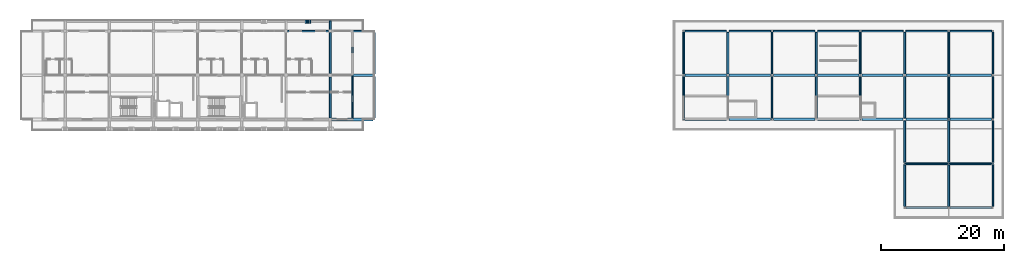
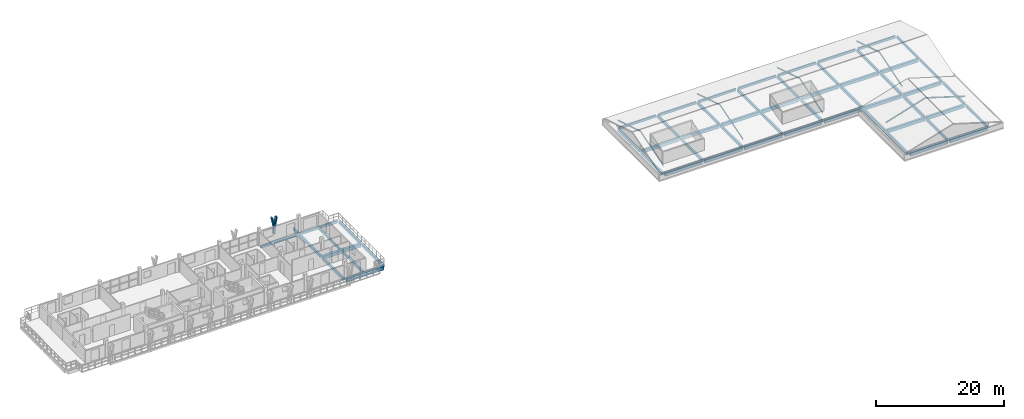
# One storey, part 10 of 19: 68 beams, 3 members.
"""IFC4 building model written with IfcOpenShell, lengths in metres."""

from ifc_helpers import new_model, si_unit, direction, frame, origin, origin_2d, place, context, subcontext, project, spatial, rectangle, i_section, extrude, material, material_profile, profile_set, type_object, element, save


model = new_model("IFC4")

# Units and contexts
model_context = context("Model", 3, precision=1e-05, world=origin(), true_north=direction((0.0, 1.0)))
body_context = subcontext(model_context, "Body", "Model", "MODEL_VIEW")
ifc_project = project(units=[si_unit("LENGTHUNIT", "METRE"), si_unit("AREAUNIT", "SQUARE_METRE"), si_unit("VOLUMEUNIT", "CUBIC_METRE"), si_unit("PLANEANGLEUNIT", "RADIAN"), si_unit("MASSUNIT", "GRAM", prefix="KILO")], contexts=[model_context])

# Site, building, storey
site_placement = place(None, origin())
site = spatial("IfcSite", under=ifc_project, at=site_placement, CompositionType="ELEMENT")
building_placement = place(site_placement, origin())
building = spatial("IfcBuilding", under=site, at=building_placement, Name="Suanplinth Sawtooth Commons", CompositionType="ELEMENT")
storey_placement = place(building_placement, frame((0.0, 0.0, 44.39990234375)))
storey = spatial("IfcBuildingStorey", under=building, at=storey_placement, Name="L13", CompositionType="ELEMENT", Elevation=44.39990234375)

# Beams
ifc_material_1 = material(Name="Precast concrete C40/50", Category="concrete")
ifc_material_profile_1 = material_profile(ifc_material_1, rectangle(XDim=0.449951171875, YDim=0.64990234375, at=origin_2d()), Name="PC-GDR 450x650")
ifc_profile_set_1 = profile_set([ifc_material_profile_1], Name="Precast concrete C40/50")
beam_type_1 = type_object("IfcBeamType", Name="B-04", PredefinedType="USERDEFINED", material=ifc_profile_set_1)
for number, where, z_axis, x_axis, name in (
    (1, (79.449951171875, 108.0, -0.574951171875), (1.0, 0.0, 0.0), (0.0, 1.0, 0.0), "BMX-L13-A-11-15"),
    (2, (79.449951171875, 115.199951171875, -0.574951171875), (1.0, 0.0, 0.0), (0.0, 1.0, 0.0), "BMX-L13-A-11-16"),
):
    element("IfcBeam", number, at=place(storey_placement, frame(where, z_axis=z_axis, x_axis=x_axis)), inside=storey, type_object=beam_type_1, Name=name, ObjectType="GIRDER", PredefinedType="USERDEFINED", context=body_context, shape_type="SweptSolid", body=[
        extrude(rectangle(XDim=0.449951171875, YDim=0.64990234375, at=origin_2d()), origin(), (0.0, 0.0, 1.0), 6.699951171875),
    ])
ifc_material_profile_2 = material_profile(ifc_material_1, rectangle(XDim=0.39990234375, YDim=0.60009765625, at=origin_2d()), Name="PC-GDR 400x600")
ifc_profile_set_2 = profile_set([ifc_material_profile_2], Name="Precast concrete C40/50")
beam_type_2 = type_object("IfcBeamType", Name="B-05", PredefinedType="USERDEFINED", material=ifc_profile_set_2)
for number, where, z_axis, x_axis, name in (
    (3, (137.02490234375, 108.0, -0.539794921875), (1.0, 0.0, 0.0), (0.0, 1.0, 0.0), "BMX-L13-B-19-15"),
    (4, (137.02490234375, 115.199951171875, -0.539794921875), (1.0, 0.0, 0.0), (0.0, 1.0, 0.0), "BMX-L13-B-19-16"),
    (5, (144.22509765625, 108.0, -0.539794921875), (1.0, 0.0, 0.0), (0.0, 1.0, 0.0), "BMX-L13-B-20-15"),
    (6, (144.22509765625, 115.199951171875, -0.539794921875), (1.0, 0.0, 0.0), (0.0, 1.0, 0.0), "BMX-L13-B-20-16"),
    (7, (151.425048828125, 108.0, -0.539794921875), (1.0, 0.0, 0.0), (0.0, 1.0, 0.0), "BMX-L13-B-21-15"),
    (8, (151.425048828125, 115.199951171875, -0.539794921875), (1.0, 0.0, 0.0), (0.0, 1.0, 0.0), "BMX-L13-B-21-16"),
    (9, (158.625, 108.0, -0.539794921875), (1.0, 0.0, 0.0), (0.0, 1.0, 0.0), "BMX-L13-B-22-15"),
    (10, (158.625, 115.199951171875, -0.539794921875), (1.0, 0.0, 0.0), (0.0, 1.0, 0.0), "BMX-L13-B-22-16"),
    (11, (165.824951171875, 108.0, -0.539794921875), (1.0, 0.0, 0.0), (0.0, 1.0, 0.0), "BMX-L13-B-23-15"),
    (12, (165.824951171875, 115.199951171875, -0.539794921875), (1.0, 0.0, 0.0), (0.0, 1.0, 0.0), "BMX-L13-B-23-16"),
    (13, (173.02490234375, 93.60009765625, -0.539794921875), (1.0, 0.0, 0.0), (0.0, 1.0, 0.0), "BMX-L13-B-24-13"),
    (14, (173.02490234375, 100.800048828125, -0.539794921875), (1.0, 0.0, 0.0), (0.0, 1.0, 0.0), "BMX-L13-B-24-14"),
    (15, (173.02490234375, 108.0, -0.539794921875), (1.0, 0.0, 0.0), (0.0, 1.0, 0.0), "BMX-L13-B-24-15"),
    (16, (173.02490234375, 115.199951171875, -0.539794921875), (1.0, 0.0, 0.0), (0.0, 1.0, 0.0), "BMX-L13-B-24-16"),
    (17, (180.22509765625, 93.60009765625, -0.539794921875), (1.0, 0.0, 0.0), (0.0, 1.0, 0.0), "BMX-L13-B-25-13"),
    (18, (180.22509765625, 100.800048828125, -0.539794921875), (1.0, 0.0, 0.0), (0.0, 1.0, 0.0), "BMX-L13-B-25-14"),
    (19, (180.22509765625, 108.0, -0.539794921875), (1.0, 0.0, 0.0), (0.0, 1.0, 0.0), "BMX-L13-B-25-15"),
    (20, (180.22509765625, 115.199951171875, -0.539794921875), (1.0, 0.0, 0.0), (0.0, 1.0, 0.0), "BMX-L13-B-25-16"),
):
    element("IfcBeam", number, at=place(storey_placement, frame(where, z_axis=z_axis, x_axis=x_axis)), inside=storey, type_object=beam_type_2, Name=name, ObjectType="GIRDER", PredefinedType="USERDEFINED", context=body_context, shape_type="SweptSolid", body=[
        extrude(rectangle(XDim=0.39990234375, YDim=0.60009765625, at=origin_2d()), origin(), (0.0, 0.0, 1.0), 6.75),
    ])
ifc_material_profile_3 = material_profile(ifc_material_1, rectangle(XDim=0.300048828125, YDim=0.5, at=origin_2d()), Name="PC-BM 300x500")
ifc_profile_set_3 = profile_set([ifc_material_profile_3], Name="Precast concrete C40/50")
beam_type_3 = type_object("IfcBeamType", Name="B-07", PredefinedType="BEAM", material=ifc_profile_set_3)
for number, where, z_axis, x_axis, name in (
    (21, (79.199951171875, 108.25, -0.5), (0.0, 1.0, 0.0), (-1.0, 0.0, 0.0), "BMY-L13-A-11-15"),
    (22, (79.199951171875, 115.449951171875, -0.5), (0.0, 1.0, 0.0), (-1.0, 0.0, 0.0), "BMY-L13-A-11-16"),
    (23, (86.39990234375, 108.25, -0.5), (0.0, 1.0, 0.0), (-1.0, 0.0, 0.0), "BMY-L13-A-12-15"),
    (24, (86.39990234375, 115.449951171875, -0.5), (0.0, 1.0, 0.0), (-1.0, 0.0, 0.0), "BMY-L13-A-12-16"),
):
    element("IfcBeam", number, at=place(storey_placement, frame(where, z_axis=z_axis, x_axis=x_axis)), inside=storey, type_object=beam_type_3, Name=name, PredefinedType="BEAM", context=body_context, shape_type="SweptSolid", body=[
        extrude(rectangle(XDim=0.300048828125, YDim=0.5, at=origin_2d()), origin(), (0.0, 0.0, 1.0), 6.699951171875),
    ])
for number, where, z_axis, x_axis, name in (
    (25, (136.800048828125, 108.22509765625, -0.489990234375), (0.0, 1.0, 0.0), (-1.0, 0.0, 0.0), "BMY-L13-B-19-15"),
    (26, (136.800048828125, 115.425048828125, -0.489990234375), (0.0, 1.0, 0.0), (-1.0, 0.0, 0.0), "BMY-L13-B-19-16"),
    (27, (144.0, 108.22509765625, -0.489990234375), (0.0, 1.0, 0.0), (-1.0, 0.0, 0.0), "BMY-L13-B-20-15"),
    (28, (144.0, 115.425048828125, -0.489990234375), (0.0, 1.0, 0.0), (-1.0, 0.0, 0.0), "BMY-L13-B-20-16"),
    (29, (151.199951171875, 108.22509765625, -0.489990234375), (0.0, 1.0, 0.0), (-1.0, 0.0, 0.0), "BMY-L13-B-21-15"),
    (30, (151.199951171875, 115.425048828125, -0.489990234375), (0.0, 1.0, 0.0), (-1.0, 0.0, 0.0), "BMY-L13-B-21-16"),
    (31, (158.39990234375, 108.22509765625, -0.489990234375), (0.0, 1.0, 0.0), (-1.0, 0.0, 0.0), "BMY-L13-B-22-15"),
    (32, (158.39990234375, 115.425048828125, -0.489990234375), (0.0, 1.0, 0.0), (-1.0, 0.0, 0.0), "BMY-L13-B-22-16"),
    (33, (165.60009765625, 108.22509765625, -0.489990234375), (0.0, 1.0, 0.0), (-1.0, 0.0, 0.0), "BMY-L13-B-23-15"),
    (34, (165.60009765625, 115.425048828125, -0.489990234375), (0.0, 1.0, 0.0), (-1.0, 0.0, 0.0), "BMY-L13-B-23-16"),
    (35, (172.800048828125, 93.824951171875, -0.489990234375), (0.0, 1.0, 0.0), (-1.0, 0.0, 0.0), "BMY-L13-B-24-13"),
    (36, (172.800048828125, 101.02490234375, -0.489990234375), (0.0, 1.0, 0.0), (-1.0, 0.0, 0.0), "BMY-L13-B-24-14"),
    (37, (172.800048828125, 108.22509765625, -0.489990234375), (0.0, 1.0, 0.0), (-1.0, 0.0, 0.0), "BMY-L13-B-24-15"),
    (38, (172.800048828125, 115.425048828125, -0.489990234375), (0.0, 1.0, 0.0), (-1.0, 0.0, 0.0), "BMY-L13-B-24-16"),
    (39, (180.0, 93.824951171875, -0.489990234375), (0.0, 1.0, 0.0), (-1.0, 0.0, 0.0), "BMY-L13-B-25-13"),
    (40, (180.0, 101.02490234375, -0.489990234375), (0.0, 1.0, 0.0), (-1.0, 0.0, 0.0), "BMY-L13-B-25-14"),
    (41, (180.0, 108.22509765625, -0.489990234375), (0.0, 1.0, 0.0), (-1.0, 0.0, 0.0), "BMY-L13-B-25-15"),
    (42, (180.0, 115.425048828125, -0.489990234375), (0.0, 1.0, 0.0), (-1.0, 0.0, 0.0), "BMY-L13-B-25-16"),
):
    element("IfcBeam", number, at=place(storey_placement, frame(where, z_axis=z_axis, x_axis=x_axis)), inside=storey, type_object=beam_type_3, Name=name, PredefinedType="BEAM", context=body_context, shape_type="SweptSolid", body=[
        extrude(rectangle(XDim=0.300048828125, YDim=0.5, at=origin_2d()), origin(), (0.0, 0.0, 1.0), 6.75),
    ])
beam_1_placement = place(storey_placement, frame((79.199951171875, 122.39990234375, -0.429931640625), z_axis=(0.0, 1.0, 0.0), x_axis=(-1.0, 0.0, 0.0)))
element("IfcBeam", 43, at=beam_1_placement, inside=storey, type_object=beam_type_3, Name="Balcony Outrigger L13-A-N-11", PredefinedType="BEAM", context=body_context, shape_type="SweptSolid", body=[
    extrude(rectangle(XDim=0.300048828125, YDim=0.5, at=origin_2d()), origin(), (0.0, 0.0, 1.0), 1.64013671875),
])
ifc_material_profile_4 = material_profile(ifc_material_1, rectangle(XDim=0.25, YDim=0.449951171875, at=origin_2d()), Name="PC-SP 250x450")
ifc_profile_set_4 = profile_set([ifc_material_profile_4], Name="Precast concrete C40/50")
beam_type_4 = type_object("IfcBeamType", Name="B-09", PredefinedType="SPANDREL", material=ifc_profile_set_4)
for number, where, z_axis, x_axis, name in (
    (44, (72.25, 122.39990234375, -0.474853515625), (1.0, 0.0, 0.0), (0.0, 1.0, 0.0), "BMX-L13-A-10-17"),
    (45, (79.449951171875, 122.39990234375, -0.474853515625), (1.0, 0.0, 0.0), (0.0, 1.0, 0.0), "BMX-L13-A-11-17"),
):
    element("IfcBeam", number, at=place(storey_placement, frame(where, z_axis=z_axis, x_axis=x_axis)), inside=storey, type_object=beam_type_4, Name=name, PredefinedType="SPANDREL", context=body_context, shape_type="SweptSolid", body=[
        extrude(rectangle(XDim=0.25, YDim=0.449951171875, at=origin_2d()), origin(), (0.0, 0.0, 1.0), 6.699951171875),
    ])
beam_2_placement = place(storey_placement, frame((82.800048828125, 108.139892578125, -0.574951171875), z_axis=(0.0, 1.0, 0.0), x_axis=(-1.0, 0.0, 0.0)))
element("IfcBeam", 46, at=beam_2_placement, inside=storey, type_object=beam_type_4, Name="BMY-L13-A-STEP-828-15", PredefinedType="SPANDREL", context=body_context, shape_type="SweptSolid", body=[
    extrude(rectangle(XDim=0.25, YDim=0.449951171875, at=origin_2d()), origin(), (0.0, 0.0, 1.0), 6.980224609375),
])
beam_3_placement = place(storey_placement, frame((82.800048828125, 115.340087890625, -0.574951171875), z_axis=(0.0, 1.0, 0.0), x_axis=(-1.0, 0.0, 0.0)))
element("IfcBeam", 47, at=beam_3_placement, inside=storey, type_object=beam_type_4, Name="BMY-L13-A-STEP-828-16", PredefinedType="SPANDREL", context=body_context, shape_type="SweptSolid", body=[
    extrude(rectangle(XDim=0.25, YDim=0.449951171875, at=origin_2d()), origin(), (0.0, 0.0, 1.0), 6.97998046875),
])
for number, where, z_axis, x_axis, name in (
    (48, (137.02490234375, 122.39990234375, -0.46484375), (1.0, 0.0, 0.0), (0.0, 1.0, 0.0), "BMX-L13-B-19-17"),
    (49, (144.22509765625, 122.39990234375, -0.46484375), (1.0, 0.0, 0.0), (0.0, 1.0, 0.0), "BMX-L13-B-20-17"),
    (50, (151.425048828125, 122.39990234375, -0.46484375), (1.0, 0.0, 0.0), (0.0, 1.0, 0.0), "BMX-L13-B-21-17"),
    (51, (158.625, 122.39990234375, -0.46484375), (1.0, 0.0, 0.0), (0.0, 1.0, 0.0), "BMX-L13-B-22-17"),
    (52, (165.824951171875, 122.39990234375, -0.46484375), (1.0, 0.0, 0.0), (0.0, 1.0, 0.0), "BMX-L13-B-23-17"),
    (53, (173.02490234375, 122.39990234375, -0.46484375), (1.0, 0.0, 0.0), (0.0, 1.0, 0.0), "BMX-L13-B-24-17"),
    (54, (180.22509765625, 122.39990234375, -0.46484375), (1.0, 0.0, 0.0), (0.0, 1.0, 0.0), "BMX-L13-B-25-17"),
    (55, (187.199951171875, 93.824951171875, -0.46484375), (0.0, 1.0, 0.0), (-1.0, 0.0, 0.0), "BMY-L13-B-26-13"),
    (56, (187.199951171875, 101.02490234375, -0.46484375), (0.0, 1.0, 0.0), (-1.0, 0.0, 0.0), "BMY-L13-B-26-14"),
    (57, (187.199951171875, 108.22509765625, -0.46484375), (0.0, 1.0, 0.0), (-1.0, 0.0, 0.0), "BMY-L13-B-26-15"),
    (58, (187.199951171875, 115.425048828125, -0.46484375), (0.0, 1.0, 0.0), (-1.0, 0.0, 0.0), "BMY-L13-B-26-16"),
):
    element("IfcBeam", number, at=place(storey_placement, frame(where, z_axis=z_axis, x_axis=x_axis)), inside=storey, type_object=beam_type_4, Name=name, PredefinedType="SPANDREL", context=body_context, shape_type="SweptSolid", body=[
        extrude(rectangle(XDim=0.25, YDim=0.449951171875, at=origin_2d()), origin(), (0.0, 0.0, 1.0), 6.75),
    ])
ifc_material_2 = material(Name="Steel SS400", Category="steel")
ifc_material_profile_5 = material_profile(ifc_material_2, i_section(OverallWidth=0.1201171875, OverallDepth=0.239990234375, WebThickness=0.006103515625, FlangeThickness=0.009765625, at=origin_2d()), Name="IPE 240")
ifc_profile_set_5 = profile_set([ifc_material_profile_5], Name="Steel SS400")
beam_type_5 = type_object("IfcBeamType", Name="B-14", PredefinedType="BEAM", material=ifc_profile_set_5)
for number, where, z_axis, x_axis, name in (
    (59, (136.800048828125, 108.0, 1.150146484375), (0.0, 0.955232505133, 0.295856149398), (-1.0, 0.0, 0.0), "Crown Rafter S B 20"),
    (60, (136.800048828125, 122.39990234375, 1.150146484375), (0.0, -0.955232505133, 0.295856149398), (1.0, 0.0, 0.0), "Crown Rafter N B 20"),
    (61, (151.199951171875, 108.0, 1.150146484375), (0.0, 0.955232505133, 0.295856149398), (-1.0, 0.0, 0.0), "Crown Rafter S B 22"),
    (62, (151.199951171875, 122.39990234375, 1.150146484375), (0.0, -0.955232505133, 0.295856149398), (1.0, 0.0, 0.0), "Crown Rafter N B 22"),
    (63, (165.60009765625, 108.0, 1.150146484375), (0.0, 0.955232505133, 0.295856149398), (-1.0, 0.0, 0.0), "Crown Rafter S B 24"),
    (64, (165.60009765625, 122.39990234375, 1.150146484375), (0.0, -0.955232505133, 0.295856149398), (1.0, 0.0, 0.0), "Crown Rafter N B 24"),
    (65, (180.0, 108.0, 1.150146484375), (0.0, 0.955232505133, 0.295856149398), (-1.0, 0.0, 0.0), "Crown Rafter S B 26"),
    (66, (180.0, 122.39990234375, 1.150146484375), (0.0, -0.955232505133, 0.295856149398), (1.0, 0.0, 0.0), "Crown Rafter N B 26"),
    (67, (172.800048828125, 100.800048828125, 1.150146484375), (0.955232505133, 0.0, 0.295856149398), (0.0, 1.0, 0.0), "Return Crown Rafter W B"),
    (68, (187.199951171875, 100.800048828125, 1.150146484375), (-0.955232505133, 0.0, 0.295856149398), (0.0, -1.0, 0.0), "Return Crown Rafter E B"),
):
    element("IfcBeam", number, at=place(storey_placement, frame(where, z_axis=z_axis, x_axis=x_axis)), inside=storey, type_object=beam_type_5, Name=name, PredefinedType="BEAM", context=body_context, shape_type="SweptSolid", body=[
        extrude(i_section(OverallWidth=0.1201171875, OverallDepth=0.239990234375, WebThickness=0.006103515625, FlangeThickness=0.009765625, at=origin_2d()), origin(), (0.0, 0.0, 1.0), 7.537353515625),
    ])

# Members
ifc_material_3 = material(Name="Pigmented precast concrete C40/50", Category="concrete")
ifc_material_profile_6 = material_profile(ifc_material_3, rectangle(XDim=0.260009765625, YDim=0.550048828125, at=origin_2d()), Name="PC-FIN 260x550")
ifc_profile_set_6 = profile_set([ifc_material_profile_6], Name="Pigmented precast concrete C40/50")
member_type_1 = type_object("IfcMemberType", Name="M-09", PredefinedType="USERDEFINED", material=ifc_profile_set_6)
member_placement = place(storey_placement, frame((75.60009765625, 123.919921875, 0.0), z_axis=(0.0, 0.0, 1.0), x_axis=(1.0, 0.0, 0.0)))
element("IfcMember", 69, at=member_placement, inside=storey, type_object=member_type_1, Name="Y-Blade Stem L13-A-N-03", ObjectType="SHADING FIN", PredefinedType="USERDEFINED", context=body_context, shape_type="SweptSolid", body=[
    extrude(rectangle(XDim=0.260009765625, YDim=0.550048828125, at=origin_2d()), origin(), (0.0, 0.0, 1.0), 1.170166015625),
])
ifc_material_profile_7 = material_profile(ifc_material_3, rectangle(XDim=0.219970703125, YDim=0.550048828125, at=origin_2d()), Name="PC-FIN 220x550")
ifc_profile_set_7 = profile_set([ifc_material_profile_7], Name="Pigmented precast concrete C40/50")
member_type_2 = type_object("IfcMemberType", Name="M-10", PredefinedType="USERDEFINED", material=ifc_profile_set_7)
for number, where, z_axis, x_axis, name in (
    (70, (75.60009765625, 123.919921875, 1.130126953125), (-0.196530428008, 0.0, 0.98049772609), (0.98049772609, 0.0, 0.196530428008), "Y-Blade Arm L L13-A-N-03"),
    (71, (75.60009765625, 123.919921875, 1.130126953125), (0.196415357203, 0.0, 0.980520783795), (-0.980520783795, 0.0, 0.196415357203), "Y-Blade Arm R L13-A-N-03"),
):
    element("IfcMember", number, at=place(storey_placement, frame(where, z_axis=z_axis, x_axis=x_axis)), inside=storey, type_object=member_type_2, Name=name, ObjectType="SHADING FIN", PredefinedType="USERDEFINED", context=body_context, shape_type="SweptSolid", body=[
        extrude(rectangle(XDim=0.219970703125, YDim=0.550048828125, at=origin_2d()), origin(), (0.0, 0.0, 1.0), 2.039794921875),
    ])

save(model, "model.ifc")
